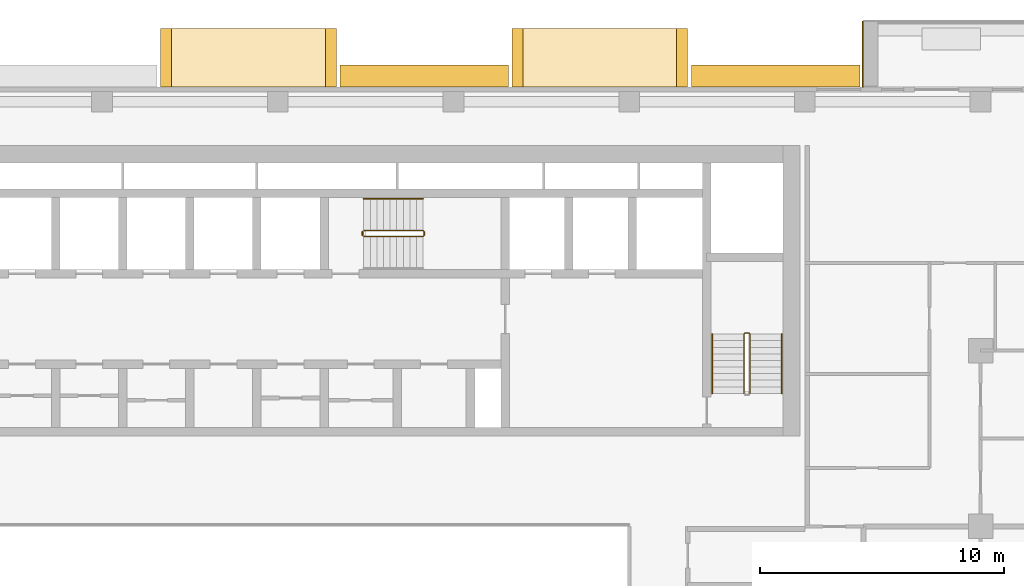
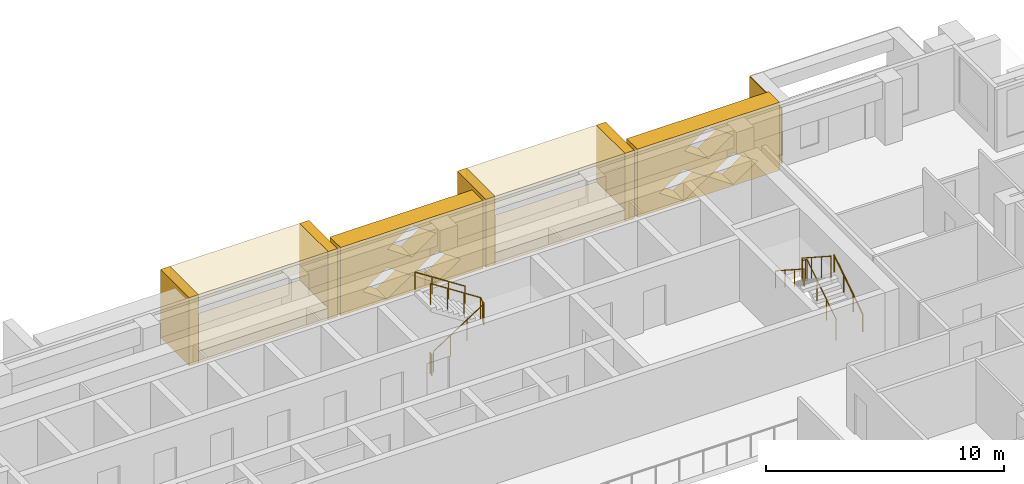
# One storey, part 19 of 20: 11 coverings, 6 railings.
"""IFC4 building model written with IfcOpenShell, lengths in metres."""

from ifc_helpers import new_model, si_unit, direction, frame, origin, origin_2d, place, context, subcontext, project, spatial, polyline, circle, outline, extrude, material, layer, layer_set, type_object, element, save


model = new_model("IFC4")

# Units and contexts
model_context = context("Model", 3, precision=1e-05, world=origin(), true_north=direction((0.0, 1.0)))
body_context = subcontext(model_context, "Body", "Model", "MODEL_VIEW")
ifc_project = project(units=[si_unit("LENGTHUNIT", "METRE"), si_unit("AREAUNIT", "SQUARE_METRE"), si_unit("VOLUMEUNIT", "CUBIC_METRE"), si_unit("PLANEANGLEUNIT", "RADIAN"), si_unit("MASSUNIT", "GRAM", prefix="KILO")], contexts=[model_context])

# Site, building, storey
site_placement = place(None, origin())
site = spatial("IfcSite", under=ifc_project, at=site_placement, CompositionType="ELEMENT")
building_placement = place(site_placement, origin())
building = spatial("IfcBuilding", under=site, at=building_placement, Name="Saffron Iwan Residences", CompositionType="ELEMENT")
storey_placement = place(building_placement, frame((0.0, 0.0, 171.0)))
storey = spatial("IfcBuildingStorey", under=building, at=storey_placement, Name="L45", CompositionType="ELEMENT", Elevation=171.0)

# Coverings
ifc_material_1 = material(Name="Precast concrete C40/50 white painted", Category="concrete")
ifc_layer = layer(ifc_material_1, 0.050048828125)
ifc_layer_set = layer_set([ifc_layer], Name="Precast concrete C40/50 white painted")
covering_type_1 = type_object("IfcCoveringType", Name="FRAME SKIN PRECAST WHITE 50", PredefinedType="CLADDING", material=ifc_layer_set)
covering_placement = place(storey_placement, origin())
element("IfcCovering", 1, at=covering_placement, inside=storey, type_object=covering_type_1, Name="Frame skin fin L45 F5-0b", PredefinedType="CLADDING", context=body_context, shape_type="SweptSolid", body=[
    extrude(outline(polyline([(74.39990234375, 83.10009765625), (74.35009765625, 83.10009765625), (74.35009765625, 80.39990234375), (74.39990234375, 80.39990234375), (74.39990234375, 83.10009765625)])), origin(), (0.0, 0.0, 1.0), 2.85009765625),
])
ifc_material_2 = material(Name="Precast concrete C40/50", Category="concrete")
covering_type_2 = type_object("IfcCoveringType", Name="OUTER SKIN LATTICE SCREEN", PredefinedType="CLADDING", material=ifc_material_2)
for number, where, z_axis, x_axis, name in (
    (2, (74.25, 80.39990234375, -0.300048828125), (0.0, 1.0, 0.0), (-1.0, 0.0, 0.0), "OUTER SKIN lattice screen L45 F5.1"),
    (3, (59.85009765625, 80.39990234375, -0.300048828125), (0.0, 1.0, 0.0), (-1.0, 0.0, 0.0), "OUTER SKIN lattice screen L45 F5.2"),
):
    element("IfcCovering", number, at=place(storey_placement, frame(where, z_axis=z_axis, x_axis=x_axis)), inside=storey, type_object=covering_type_2, Name=name, PredefinedType="CLADDING", context=body_context, shape_type="SweptSolid", body=[
        extrude(outline(polyline([(0.0, 0.0), (6.89990234375, 0.0), (6.89990234375, 3.5), (0.0, 3.5), (0.0, 0.0)]), holes=[polyline([(1.070068359375, 0.875), (2.25, 0.06005859375), (3.429931640625, 0.875), (2.25, 1.68994140625), (1.070068359375, 0.875)]), polyline([(3.469970703125, 0.875), (4.64990234375, 0.06005859375), (5.830078125, 0.875), (4.64990234375, 1.68994140625), (3.469970703125, 0.875)]), polyline([(2.27001953125, 2.625), (3.449951171875, 1.81005859375), (4.6298828125, 2.625), (3.449951171875, 3.43994140625), (2.27001953125, 2.625)])]), origin(), (0.0, 0.0, 1.0), 0.900146484375),
    ])

# Railings
ifc_material_3 = material(Name="Steel S355", Category="steel")
railing_type_1 = type_object("IfcRailingType", Name="Stair guard 1100", PredefinedType="GUARDRAIL", material=ifc_material_3)
railing_1_placement = place(storey_placement, frame((53.925048828125, 74.27490234375, 0.175048828125)))
element("IfcRailing", 4, at=railing_1_placement, inside=storey, type_object=railing_type_1, Name="L45 ST-C stair guard 1", PredefinedType="GUARDRAIL", context=body_context, shape_type="SweptSolid", body=[
    extrude(circle(Radius=0.02392578125, at=origin_2d()), frame((0.0, 0.0, 1.076171875), z_axis=(0.839153699163, 0.0, 0.543894354798), x_axis=(0.0, 1.0, 0.0)), (0.0, 0.0, 1.0), 2.895751953125),
    extrude(circle(Radius=0.02392578125, at=origin_2d()), frame((2.429931640625, 0.0, 2.65087890625), z_axis=(0.707106781187, 0.707106781187, 0.0), x_axis=(-0.707106781187, 0.707106781187, 0.0)), (0.0, 0.0, 1.0), 0.07080078125),
    extrude(circle(Radius=0.02392578125, at=origin_2d()), frame((2.47998046875, 0.050048828125, 2.65087890625), z_axis=(0.0, 1.0, 0.0), x_axis=(-1.0, 0.0, 0.0)), (0.0, 0.0, 1.0), 0.150146484375),
    extrude(circle(Radius=0.02392578125, at=origin_2d()), frame((2.47998046875, 0.2001953125, 2.65087890625), z_axis=(-0.265155923931, 0.263862480399, 0.927399011991), x_axis=(-0.705375805398, -0.708833529934, 0.0)), (0.0, 0.0, 1.0), 0.188720703125),
    extrude(circle(Radius=0.02392578125, at=origin_2d()), frame((2.429931640625, 0.25, 2.826171875), z_axis=(-0.839153699163, 0.0, 0.543894354798), x_axis=(0.0, -1.0, 0.0)), (0.0, 0.0, 1.0), 2.895751953125),
    extrude(circle(Radius=0.02099609375, at=origin_2d()), origin(), (0.0, 0.0, 1.0), 1.052001953125),
    extrude(circle(Radius=0.02099609375, at=origin_2d()), frame((0.81005859375, 0.0, 0.52490234375)), (0.0, 0.0, 1.0), 1.052001953125),
    extrude(circle(Radius=0.02099609375, at=origin_2d()), frame((1.619873046875, 0.0, 1.050048828125)), (0.0, 0.0, 1.0), 1.052001953125),
    extrude(circle(Radius=0.02099609375, at=origin_2d()), frame((2.429931640625, 0.0, 1.574951171875)), (0.0, 0.0, 1.0), 1.052001953125),
    extrude(circle(Radius=0.02099609375, at=origin_2d()), frame((2.47998046875, 0.050048828125, 1.574951171875)), (0.0, 0.0, 1.0), 1.052001953125),
    extrude(circle(Radius=0.02099609375, at=origin_2d()), frame((2.47998046875, 0.2001953125, 1.574951171875)), (0.0, 0.0, 1.0), 1.052001953125),
    extrude(circle(Radius=0.02099609375, at=origin_2d()), frame((2.429931640625, 0.25, 1.75)), (0.0, 0.0, 1.0), 1.052001953125),
    extrude(circle(Radius=0.02099609375, at=origin_2d()), frame((1.619873046875, 0.25, 2.27490234375)), (0.0, 0.0, 1.0), 1.052001953125),
    extrude(circle(Radius=0.02099609375, at=origin_2d()), frame((0.81005859375, 0.25, 2.800048828125)), (0.0, 0.0, 1.0), 1.052001953125),
    extrude(circle(Radius=0.02099609375, at=origin_2d()), frame((0.0, 0.25, 3.324951171875)), (0.0, 0.0, 1.0), 1.052001953125),
])
railing_2_placement = place(storey_placement, frame((53.875, 74.324951171875, 0.0)))
element("IfcRailing", 5, at=railing_2_placement, inside=storey, type_object=railing_type_1, Name="L45 ST-C stair guard 2", PredefinedType="GUARDRAIL", context=body_context, shape_type="SweptSolid", body=[
    extrude(circle(Radius=0.02392578125, at=origin_2d()), frame((0.0, 0.0, 1.076171875), z_axis=(0.0, 1.0, 0.0), x_axis=(-1.0, 0.0, 0.0)), (0.0, 0.0, 1.0), 0.150146484375),
    extrude(circle(Radius=0.02099609375, at=origin_2d()), origin(), (0.0, 0.0, 1.0), 1.052001953125),
    extrude(circle(Radius=0.02099609375, at=origin_2d()), frame((0.0, 0.150146484375, 0.0)), (0.0, 0.0, 1.0), 1.052001953125),
])
railing_3_placement = place(storey_placement, frame((69.75, 67.85009765625, 0.175048828125)))
element("IfcRailing", 6, at=railing_3_placement, inside=storey, type_object=railing_type_1, Name="L45 ST-E stair guard 1", PredefinedType="GUARDRAIL", context=body_context, shape_type="SweptSolid", body=[
    extrude(circle(Radius=0.02392578125, at=origin_2d()), frame((0.0, 0.0, 1.076171875), z_axis=(0.0, 0.839153699163, 0.543894354798), x_axis=(-1.0, 0.0, 0.0)), (0.0, 0.0, 1.0), 2.895751953125),
    extrude(circle(Radius=0.02392578125, at=origin_2d()), frame((0.0, 2.429931640625, 2.65087890625), z_axis=(-0.707106781187, 0.707106781187, 0.0), x_axis=(-0.707106781187, -0.707106781187, 0.0)), (0.0, 0.0, 1.0), 0.07080078125),
    extrude(circle(Radius=0.02392578125, at=origin_2d()), frame((-0.050048828125, 2.47998046875, 2.65087890625), z_axis=(-1.0, 0.0, 0.0), x_axis=(0.0, -1.0, 0.0)), (0.0, 0.0, 1.0), 0.14990234375),
    extrude(circle(Radius=0.02392578125, at=origin_2d()), frame((-0.199951171875, 2.47998046875, 2.65087890625), z_axis=(-0.265065253269, -0.265065253269, 0.927081885822), x_axis=(0.707106781187, -0.707106781187, 0.0)), (0.0, 0.0, 1.0), 0.188720703125),
    extrude(circle(Radius=0.02392578125, at=origin_2d()), frame((-0.25, 2.429931640625, 2.826171875), z_axis=(0.0, -0.839153699163, 0.543894354798), x_axis=(1.0, 0.0, 0.0)), (0.0, 0.0, 1.0), 2.895751953125),
    extrude(circle(Radius=0.02099609375, at=origin_2d()), origin(), (0.0, 0.0, 1.0), 1.052001953125),
    extrude(circle(Radius=0.02099609375, at=origin_2d()), frame((0.0, 0.81005859375, 0.52490234375)), (0.0, 0.0, 1.0), 1.052001953125),
    extrude(circle(Radius=0.02099609375, at=origin_2d()), frame((0.0, 1.619873046875, 1.050048828125)), (0.0, 0.0, 1.0), 1.052001953125),
    extrude(circle(Radius=0.02099609375, at=origin_2d()), frame((0.0, 2.429931640625, 1.574951171875)), (0.0, 0.0, 1.0), 1.052001953125),
    extrude(circle(Radius=0.02099609375, at=origin_2d()), frame((-0.050048828125, 2.47998046875, 1.574951171875)), (0.0, 0.0, 1.0), 1.052001953125),
    extrude(circle(Radius=0.02099609375, at=origin_2d()), frame((-0.199951171875, 2.47998046875, 1.574951171875)), (0.0, 0.0, 1.0), 1.052001953125),
    extrude(circle(Radius=0.02099609375, at=origin_2d()), frame((-0.25, 2.429931640625, 1.75)), (0.0, 0.0, 1.0), 1.052001953125),
    extrude(circle(Radius=0.02099609375, at=origin_2d()), frame((-0.25, 1.619873046875, 2.27490234375)), (0.0, 0.0, 1.0), 1.052001953125),
    extrude(circle(Radius=0.02099609375, at=origin_2d()), frame((-0.25, 0.81005859375, 2.800048828125)), (0.0, 0.0, 1.0), 1.052001953125),
    extrude(circle(Radius=0.02099609375, at=origin_2d()), frame((-0.25, 0.0, 3.324951171875)), (0.0, 0.0, 1.0), 1.052001953125),
])
ifc_material_4 = material(Name="Stainless steel 316", Category="steel")
railing_type_2 = type_object("IfcRailingType", Name="Stair handrail 900", PredefinedType="HANDRAIL", material=ifc_material_4)
railing_4_placement = place(storey_placement, frame((56.35498046875, 75.824951171875, 1.925048828125)))
element("IfcRailing", 7, at=railing_4_placement, inside=storey, type_object=railing_type_2, Name="L45 ST-C stair handrail 2", PredefinedType="HANDRAIL", context=body_context, shape_type="SweptSolid", body=[
    extrude(circle(Radius=0.02392578125, at=origin_2d()), frame((0.0, 0.0, 0.8759765625), z_axis=(-0.839153699163, 0.0, 0.543894354798), x_axis=(0.0, -1.0, 0.0)), (0.0, 0.0, 1.0), 2.895751953125),
    extrude(circle(Radius=0.02099609375, at=origin_2d()), origin(), (0.0, 0.0, 1.0), 0.851806640625),
    extrude(circle(Radius=0.02099609375, at=origin_2d()), frame((-0.81005859375, 0.0, 0.52490234375)), (0.0, 0.0, 1.0), 0.851806640625),
    extrude(circle(Radius=0.02099609375, at=origin_2d()), frame((-1.619873046875, 0.0, 1.050048828125)), (0.0, 0.0, 1.0), 0.851806640625),
    extrude(circle(Radius=0.02099609375, at=origin_2d()), frame((-2.429931640625, 0.0, 1.574951171875)), (0.0, 0.0, 1.0), 0.851806640625),
])
railing_5_placement = place(storey_placement, frame((71.050048828125, 67.85009765625, 0.175048828125)))
element("IfcRailing", 8, at=railing_5_placement, inside=storey, type_object=railing_type_2, Name="L45 ST-E stair handrail 1", PredefinedType="HANDRAIL", context=body_context, shape_type="SweptSolid", body=[
    extrude(circle(Radius=0.02392578125, at=origin_2d()), frame((0.0, 0.0, 0.8759765625), z_axis=(0.0, 0.839153699163, 0.543894354798), x_axis=(-1.0, 0.0, 0.0)), (0.0, 0.0, 1.0), 2.895751953125),
    extrude(circle(Radius=0.02099609375, at=origin_2d()), origin(), (0.0, 0.0, 1.0), 0.851806640625),
    extrude(circle(Radius=0.02099609375, at=origin_2d()), frame((0.0, 0.81005859375, 0.52490234375)), (0.0, 0.0, 1.0), 0.851806640625),
    extrude(circle(Radius=0.02099609375, at=origin_2d()), frame((0.0, 1.619873046875, 1.050048828125)), (0.0, 0.0, 1.0), 0.851806640625),
    extrude(circle(Radius=0.02099609375, at=origin_2d()), frame((0.0, 2.429931640625, 1.574951171875)), (0.0, 0.0, 1.0), 0.851806640625),
])
railing_6_placement = place(storey_placement, frame((68.199951171875, 70.280029296875, 1.925048828125)))
element("IfcRailing", 9, at=railing_6_placement, inside=storey, type_object=railing_type_2, Name="L45 ST-E stair handrail 2", PredefinedType="HANDRAIL", context=body_context, shape_type="SweptSolid", body=[
    extrude(circle(Radius=0.02392578125, at=origin_2d()), frame((0.0, 0.0, 0.8759765625), z_axis=(0.0, -0.839153699163, 0.543894354798), x_axis=(1.0, 0.0, 0.0)), (0.0, 0.0, 1.0), 2.895751953125),
    extrude(circle(Radius=0.02099609375, at=origin_2d()), origin(), (0.0, 0.0, 1.0), 0.851806640625),
    extrude(circle(Radius=0.02099609375, at=origin_2d()), frame((0.0, -0.81005859375, 0.52490234375)), (0.0, 0.0, 1.0), 0.851806640625),
    extrude(circle(Radius=0.02099609375, at=origin_2d()), frame((0.0, -1.619873046875, 1.050048828125)), (0.0, 0.0, 1.0), 0.851806640625),
    extrude(circle(Radius=0.02099609375, at=origin_2d()), frame((0.0, -2.429931640625, 1.574951171875)), (0.0, 0.0, 1.0), 0.851806640625),
])

# Coverings
covering_type_3 = type_object("IfcCoveringType", Name="WHITE SUN FRAME PRECAST", PredefinedType="CLADDING", material=ifc_material_1)
for number, where, z_axis, x_axis, name in (
    (10, (67.199951171875, 80.39990234375, -0.300048828125), (0.0, 1.0, 0.0), (-1.0, 0.0, 0.0), "Sun frame L45 F5 15.6a"),
    (11, (60.449951171875, 80.39990234375, -0.300048828125), (0.0, 1.0, 0.0), (-1.0, 0.0, 0.0), "Sun frame L45 F5 15.6b"),
):
    element("IfcCovering", number, at=place(storey_placement, frame(where, z_axis=z_axis, x_axis=x_axis)), inside=storey, type_object=covering_type_3, Name=name, PredefinedType="CLADDING", context=body_context, shape_type="SweptSolid", body=[
        extrude(outline(polyline([(0.0, 0.0), (0.449951171875, 0.0), (0.449951171875, 3.5), (0.0, 3.5), (0.0, 0.0)])), origin(), (0.0, 0.0, 1.0), 2.400146484375),
    ])
for number, where, z_axis, x_axis, name in (
    (12, (66.75, 80.39990234375, 2.60009765625), (0.0, 1.0, 0.0), (-1.0, 0.0, 0.0), "Sun frame L45 F5 15.6h"),
    (13, (66.75, 80.39990234375, -0.300048828125), (0.0, 1.0, 0.0), (-1.0, 0.0, 0.0), "Sun frame L45 F5 15.6s"),
):
    element("IfcCovering", number, at=place(storey_placement, frame(where, z_axis=z_axis, x_axis=x_axis)), inside=storey, type_object=covering_type_3, Name=name, PredefinedType="CLADDING", context=body_context, shape_type="SweptSolid", body=[
        extrude(outline(polyline([(0.0, 0.0), (6.300048828125, 0.0), (6.300048828125, 0.60009765625), (0.0, 0.60009765625), (0.0, 0.0)])), origin(), (0.0, 0.0, 1.0), 2.400146484375),
    ])
for number, where, z_axis, x_axis, name in (
    (14, (52.800048828125, 80.39990234375, -0.300048828125), (0.0, 1.0, 0.0), (-1.0, 0.0, 0.0), "Sun frame L45 F5 30.0a"),
    (15, (46.050048828125, 80.39990234375, -0.300048828125), (0.0, 1.0, 0.0), (-1.0, 0.0, 0.0), "Sun frame L45 F5 30.0b"),
):
    element("IfcCovering", number, at=place(storey_placement, frame(where, z_axis=z_axis, x_axis=x_axis)), inside=storey, type_object=covering_type_3, Name=name, PredefinedType="CLADDING", context=body_context, shape_type="SweptSolid", body=[
        extrude(outline(polyline([(0.0, 0.0), (0.449951171875, 0.0), (0.449951171875, 3.5), (0.0, 3.5), (0.0, 0.0)])), origin(), (0.0, 0.0, 1.0), 2.400146484375),
    ])
for number, where, z_axis, x_axis, name in (
    (16, (52.35009765625, 80.39990234375, 2.60009765625), (0.0, 1.0, 0.0), (-1.0, 0.0, 0.0), "Sun frame L45 F5 30.0h"),
    (17, (52.35009765625, 80.39990234375, -0.300048828125), (0.0, 1.0, 0.0), (-1.0, 0.0, 0.0), "Sun frame L45 F5 30.0s"),
):
    element("IfcCovering", number, at=place(storey_placement, frame(where, z_axis=z_axis, x_axis=x_axis)), inside=storey, type_object=covering_type_3, Name=name, PredefinedType="CLADDING", context=body_context, shape_type="SweptSolid", body=[
        extrude(outline(polyline([(0.0, 0.0), (6.300048828125, 0.0), (6.300048828125, 0.60009765625), (0.0, 0.60009765625), (0.0, 0.0)])), origin(), (0.0, 0.0, 1.0), 2.400146484375),
    ])

save(model, "model.ifc")
